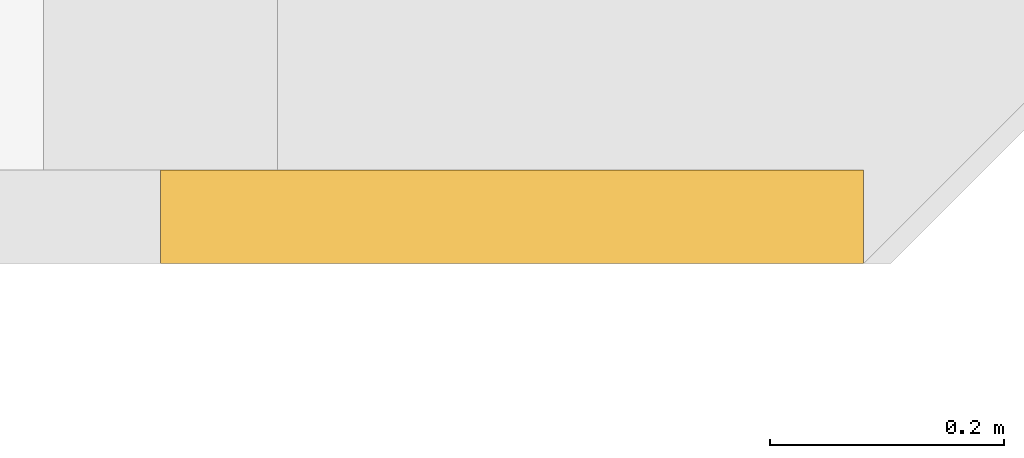
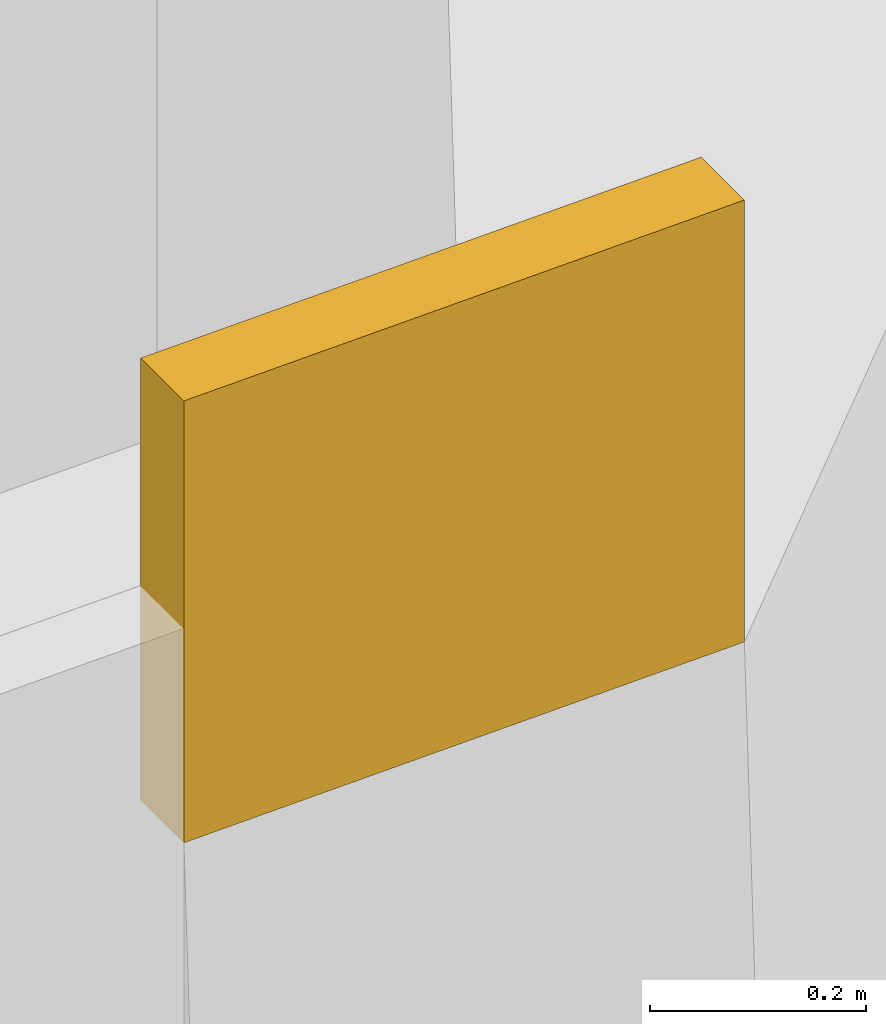
# One storey, part 29 of 30: 1 covering.
"""IFC4 building model written with IfcOpenShell, lengths in metres."""

import ifcopenshell
import ifcopenshell.guid

model = None  # the IFC model being written
_history = None  # IfcOwnerHistory: only IFC2X3 demands one
_inside = {}  # id of a spatial element -> (the spatial element, [elements in it])
_under = {}  # id of a project, library or spatial element -> (it, [spatial elements below it])
_declared = {}  # id of a project -> (the project, [libraries it declares])
_typed = {}  # id of a type object -> (the type object, [elements of that type])
_made_of = {}  # id of a material, layer set ... -> (it, [elements and type objects made of it])


def new_model(schema):
    """Start an empty IFC model of exactly this schema.

    Asked for "IFC4X3", IfcOpenShell would pick the latest addendum, in which some entities
    have other attributes; the version numbers below select the first issue.
    IFC2X3 requires an IfcOwnerHistory on every rooted entity: one is made here for all.
    """
    global model, _history
    if schema == "IFC4X3":
        model = ifcopenshell.file(schema_version=(4, 3, 0, 0))
    else:
        model = ifcopenshell.file(schema=schema)
    _inside.clear()
    _under.clear()
    _declared.clear()
    _typed.clear()
    _made_of.clear()
    _history = None
    if model.schema == "IFC2X3":
        org = make("IfcOrganization", Name="unknown")
        user = make(
            "IfcPersonAndOrganization",
            ThePerson=make("IfcPerson", FamilyName="unknown"),
            TheOrganization=org,
        )
        app = make(
            "IfcApplication",
            ApplicationDeveloper=org,
            Version="unknown",
            ApplicationFullName="unknown",
            ApplicationIdentifier="unknown",
        )
        _history = make(
            "IfcOwnerHistory",
            OwningUser=user,
            OwningApplication=app,
            ChangeAction="ADDED",
            CreationDate=0,
        )
    return model


def make(cls, **values):
    """One entity of the class cls with the attributes given. An attribute that is None is left unset."""
    return model.create_entity(
        cls, **{name: value for name, value in values.items() if value is not None}
    )


def rooted(cls, **values):
    """An entity with a GlobalId (a new one), such as an element, a storey or a relation."""
    return make(cls, GlobalId=ifcopenshell.guid.new(), OwnerHistory=_history, **values)


def si_unit(unit_type, name, prefix=None):
    """IfcSIUnit, for example si_unit("LENGTHUNIT", "METRE", prefix="MILLI")."""
    return make("IfcSIUnit", UnitType=unit_type, Prefix=prefix, Name=name)


def assignment(units):
    """IfcUnitAssignment: the units of a project."""
    return None if units is None else make("IfcUnitAssignment", Units=units)


def point(xyz):
    """IfcCartesianPoint."""
    return None if xyz is None else make("IfcCartesianPoint", Coordinates=xyz)


def direction(xyz):
    """IfcDirection."""
    return None if xyz is None else make("IfcDirection", DirectionRatios=xyz)


def frame(location, z_axis=None, x_axis=None):
    """IfcAxis2Placement3D, a coordinate frame: its origin and axes. An axis left out is left unset."""
    return make(
        "IfcAxis2Placement3D",
        Location=point(location),
        Axis=direction(z_axis),
        RefDirection=direction(x_axis),
    )


def origin():
    """The frame at (0, 0, 0) with its axes left unset."""
    return frame((0.0, 0.0, 0.0))


def place(relative_to, where):
    """IfcLocalPlacement: puts the frame where relative to a parent placement (None: the world)."""
    return make(
        "IfcLocalPlacement", PlacementRelTo=relative_to, RelativePlacement=where
    )


def context(
    kind, dimensions, precision=None, world=None, true_north=None, identifier=None
):
    """IfcGeometricRepresentationContext, for example the 3D "Model" context."""
    return make(
        "IfcGeometricRepresentationContext",
        ContextIdentifier=identifier,
        ContextType=kind,
        CoordinateSpaceDimension=dimensions,
        Precision=precision,
        WorldCoordinateSystem=world,
        TrueNorth=true_north,
    )


def subcontext(parent, identifier, kind, view, scale=None):
    """IfcGeometricRepresentationSubContext, for example "Body" below "Model"."""
    return make(
        "IfcGeometricRepresentationSubContext",
        ContextIdentifier=identifier,
        ContextType=kind,
        ParentContext=parent,
        TargetScale=scale,
        TargetView=view,
    )


def project(units=None, contexts=None):
    """IfcProject with its units and contexts."""
    return rooted(
        "IfcProject",
        Name="project",
        RepresentationContexts=contexts,
        UnitsInContext=assignment(units),
    )


def spatial(cls, under=None, at=None, **own):
    """A site, building, storey or space (cls), placed at a placement, below another one or the project."""
    s = rooted(cls, ObjectPlacement=at, **own)
    if under is not None:
        _under.setdefault(under.id(), (under, []))[1].append(s)
    return s


def polyline(points):
    """IfcPolyline through the points."""
    return make("IfcPolyline", Points=[point(p) for p in points])


def outline(outer, holes=None, kind="AREA"):
    """IfcArbitraryClosedProfileDef: a profile drawn as a closed curve; with holes, ...WithVoids."""
    if holes is None:
        return make("IfcArbitraryClosedProfileDef", ProfileType=kind, OuterCurve=outer)
    return make(
        "IfcArbitraryProfileDefWithVoids",
        ProfileType=kind,
        OuterCurve=outer,
        InnerCurves=holes,
    )


def extrude(swept, where, along, depth):
    """IfcExtrudedAreaSolid: the profile swept, set in the frame where, extruded along a direction by depth."""
    return make(
        "IfcExtrudedAreaSolid",
        SweptArea=swept,
        Position=where,
        ExtrudedDirection=direction(along),
        Depth=depth,
    )


def shape(context_of_items, identifier, shape_type, items):
    """IfcShapeRepresentation: the items that make up one representation, for example the "Body"."""
    return make(
        "IfcShapeRepresentation",
        ContextOfItems=context_of_items,
        RepresentationIdentifier=identifier,
        RepresentationType=shape_type,
        Items=items,
    )


def material(Name=None, Category=None):
    """IfcMaterial."""
    return make("IfcMaterial", Name=Name, Category=Category)


def layer(
    of_material, thickness, ventilated=None, Name=None, Category=None, Priority=None
):
    """IfcMaterialLayer: one layer of a wall or slab, of a material (None: an air gap)."""
    return make(
        "IfcMaterialLayer",
        Material=of_material,
        LayerThickness=thickness,
        IsVentilated=ventilated,
        Name=Name,
        Category=Category,
        Priority=Priority,
    )


def layer_set(layers, Name=None):
    """IfcMaterialLayerSet."""
    return make("IfcMaterialLayerSet", MaterialLayers=layers, LayerSetName=Name)


def made_of(thing, what):
    """Note that an element or type object is made of a material, layer set ...; save() writes the relation."""
    if what is not None:
        _made_of.setdefault(what.id(), (what, []))[1].append(thing)
    return thing


def type_object(cls, material=None, **own):
    """A type object (cls), such as IfcWallType, which elements share."""
    return made_of(rooted(cls, **own), material)


def element(
    cls,
    number,
    at=None,
    inside=None,
    cuts=None,
    type_object=None,
    material=None,
    context=None,
    identifier="Body",
    shape_type=None,
    held_by="IfcProductDefinitionShape",
    body=None,
    shapes=None,
    **own,
):
    """One element of the class cls, such as IfcWall. Its Tag is "e" and its number.

    at: its placement. inside: the storey or other place that contains it. cuts: it is an
    opening in that element (IfcRelVoidsElement). A single representation is given by context,
    identifier, shape_type and body (its items); several are given by shapes. held_by: the class
    of the entity that holds the representations. save() writes the other relations.
    """
    e = rooted(cls, Tag="e%d" % number, ObjectPlacement=at, **own)
    if body is not None:
        shapes = [shape(context, identifier, shape_type, body)]
    if shapes is not None:
        e.Representation = make(held_by, Representations=shapes)
    if inside is not None:
        _inside.setdefault(inside.id(), (inside, []))[1].append(e)
    if cuts is not None:
        rooted(
            "IfcRelVoidsElement", RelatingBuildingElement=cuts, RelatedOpeningElement=e
        )
    if type_object is not None:
        _typed.setdefault(type_object.id(), (type_object, []))[1].append(e)
    return made_of(e, material)


def aggregate(whole, parts):
    """IfcRelAggregates: a whole, such as a stair, and the parts it consists of."""
    return rooted("IfcRelAggregates", RelatingObject=whole, RelatedObjects=parts)


def save(model, path):
    """Write the relations noted so far, then the file.

    IfcRelAggregates (storeys below a building ...), IfcRelContainedInSpatialStructure (elements
    in a storey), IfcRelDefinesByType, IfcRelAssociatesMaterial and IfcRelDeclares: one each for
    every whole, place, type object, material and project.
    """
    for whole, parts in _under.values():
        aggregate(whole, parts)
    for where, things in _inside.values():
        rooted(
            "IfcRelContainedInSpatialStructure",
            RelatedElements=things,
            RelatingStructure=where,
        )
    for kind, things in _typed.values():
        rooted("IfcRelDefinesByType", RelatedObjects=things, RelatingType=kind)
    for what, things in _made_of.values():
        rooted("IfcRelAssociatesMaterial", RelatedObjects=things, RelatingMaterial=what)
    for by, libraries in _declared.values():
        rooted("IfcRelDeclares", RelatingContext=by, RelatedDefinitions=libraries)
    model.write(path)


model = new_model("IFC4")

# Units and contexts
model_context = context("Model", 3, precision=1e-05, world=origin(), true_north=direction((0.0, 1.0)))
body_context = subcontext(model_context, "Body", "Model", "MODEL_VIEW")
ifc_project = project(units=[si_unit("LENGTHUNIT", "METRE"), si_unit("AREAUNIT", "SQUARE_METRE"), si_unit("VOLUMEUNIT", "CUBIC_METRE"), si_unit("PLANEANGLEUNIT", "RADIAN"), si_unit("MASSUNIT", "GRAM", prefix="KILO")], contexts=[model_context])

# Site, building, storey
site_placement = place(None, origin())
site = spatial("IfcSite", under=ifc_project, at=site_placement, CompositionType="ELEMENT")
building_placement = place(site_placement, origin())
building = spatial("IfcBuilding", under=site, at=building_placement, Name="Saffron Gate Tower", CompositionType="ELEMENT")
storey_placement = place(building_placement, frame((0.0, 0.0, 223.5)))
storey = spatial("IfcBuildingStorey", under=building, at=storey_placement, Name="L54", CompositionType="ELEMENT", Elevation=223.5)

# Covering
ifc_material = material(Name="Timber, thermally modified ash", Category="wood")
ifc_layer = layer(ifc_material, 0.080078125)
ifc_layer_set = layer_set([ifc_layer], Name="LD2 ledge planter trough")
covering_type = type_object("IfcCoveringType", Name="LD2 ledge planter trough", PredefinedType="CLADDING", material=ifc_layer_set)
covering_placement = place(storey_placement, frame((49.800048828125, 32.39990234375, 3.19580078125), z_axis=(0.0, -1.0, 0.0), x_axis=(0.999582742162, 0.0, 0.028884971385)))
element("IfcCovering", 1, at=covering_placement, inside=storey, type_object=covering_type, Name="LEDGE planter trough", PredefinedType="CLADDING", context=body_context, shape_type="SweptSolid", body=[
    extrude(outline(polyline([(0.0, 0.0), (0.6001039136866089, 0.0), (0.614546399379222, 0.4997913710809928), (0.014442485692613144, 0.49979137108099286), (0.0, 0.0)])), origin(), (0.0, 0.0, -1.0), 0.080078125),
])

save(model, "model.ifc")
